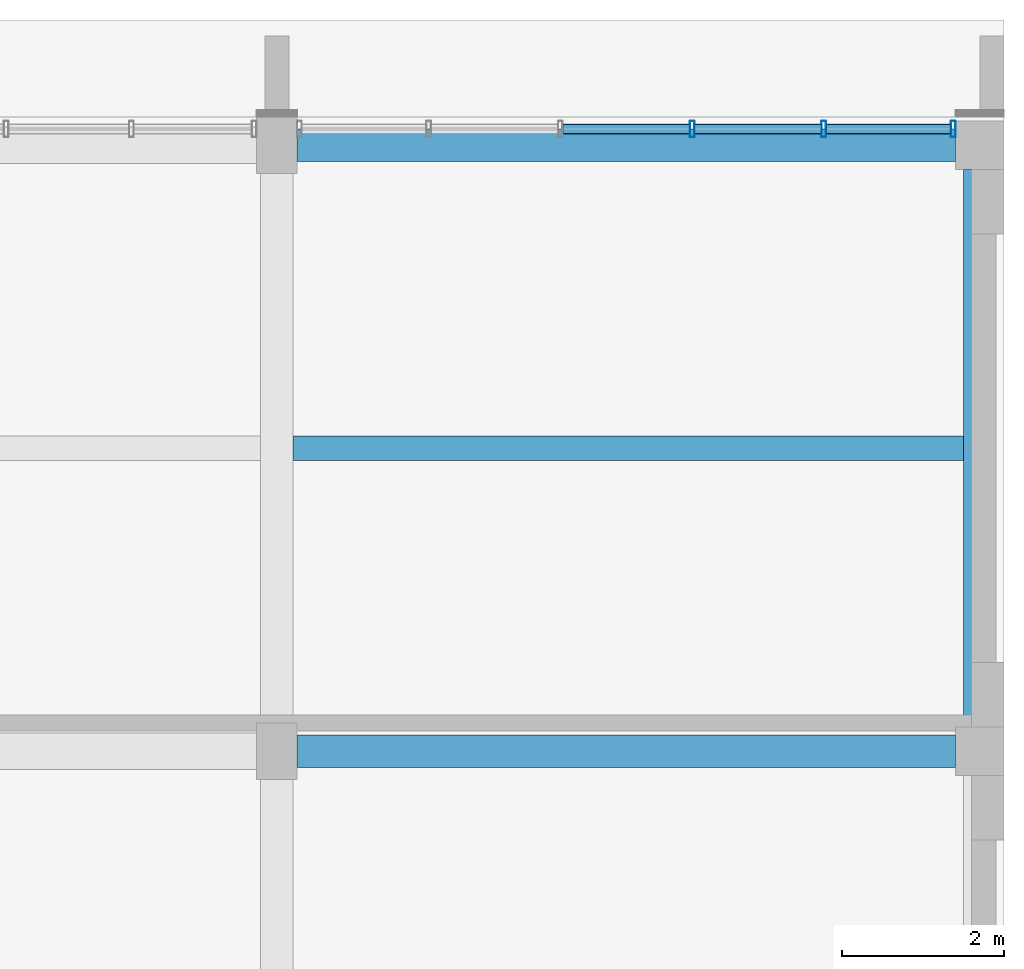
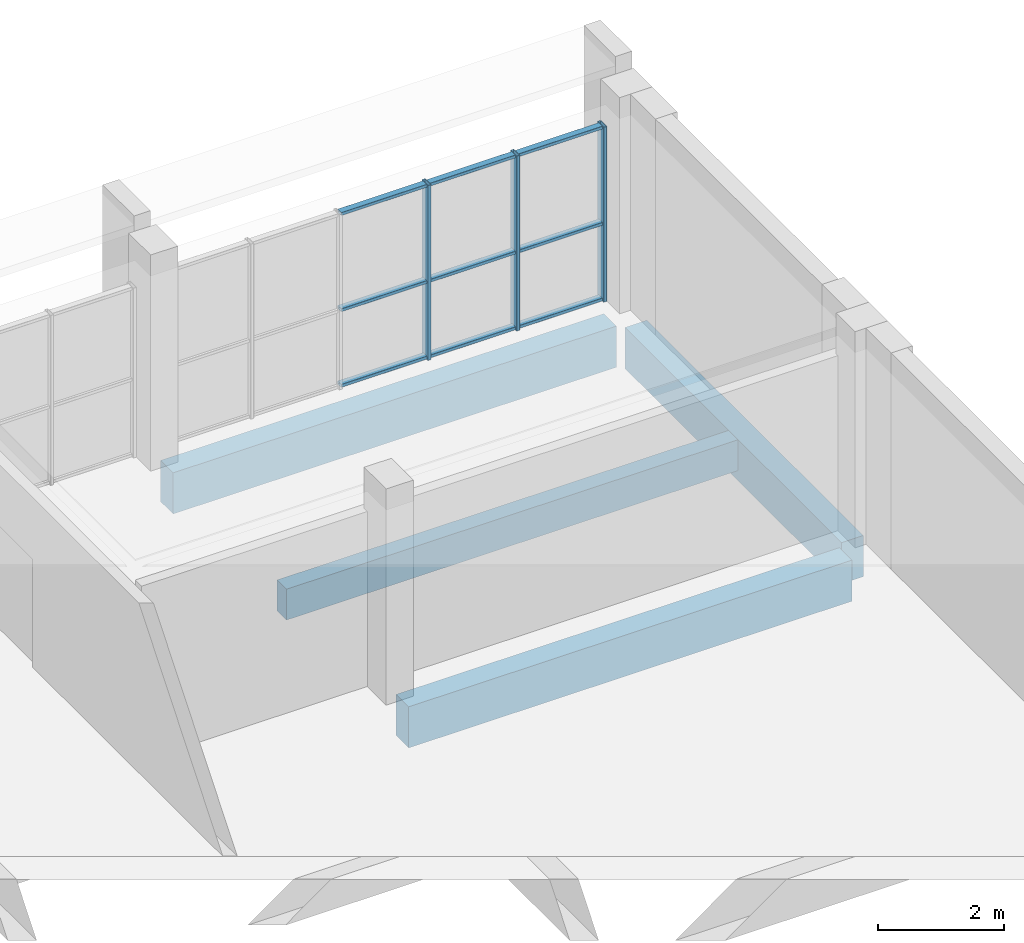
# One storey, part 18 of 42: 12 members, 4 beams, 1 element without a shape of its own.
"""IFC4 building model written with IfcOpenShell, lengths in metres."""

from ifc_helpers import new_model, si_unit, direction, frame, origin, origin_2d, place, context, subcontext, project, spatial, rectangle, hollow_rectangle, extrude, material, material_profile, profile_set, type_object, element, aggregate, save


model = new_model("IFC4")

# Units and contexts
model_context = context("Model", 3, precision=1e-05, world=origin(), true_north=direction((0.0, 1.0)))
body_context = subcontext(model_context, "Body", "Model", "MODEL_VIEW")
ifc_project = project(units=[si_unit("LENGTHUNIT", "METRE"), si_unit("AREAUNIT", "SQUARE_METRE"), si_unit("VOLUMEUNIT", "CUBIC_METRE"), si_unit("PLANEANGLEUNIT", "RADIAN"), si_unit("MASSUNIT", "GRAM", prefix="KILO")], contexts=[model_context])

# Site, building, storey
site_placement = place(None, origin())
site = spatial("IfcSite", under=ifc_project, at=site_placement, CompositionType="ELEMENT")
building_placement = place(site_placement, origin())
building = spatial("IfcBuilding", under=site, at=building_placement, Name="Sun Court Science Centre", CompositionType="ELEMENT")
storey_placement = place(building_placement, frame((0.0, 0.0, 20.25)))
storey = spatial("IfcBuildingStorey", under=building, at=storey_placement, Name="L04", CompositionType="ELEMENT", Elevation=20.25)

# Curtain wall, members
ifc_material_1 = material(Name="Aluminium EN AW-6063 T6", Category="aluminium")
curtain_wall_type = type_object("IfcCurtainWallType", Name="Laboratory tall bay curtain wall 1500", PredefinedType="NOTDEFINED", material=ifc_material_1)
curtain_wall_placement = place(storey_placement, origin())
curtain_wall = element("IfcCurtainWall", 1, at=curtain_wall_placement, inside=storey, type_object=curtain_wall_type, Name="Curtain wall V4 N L04 03", PredefinedType="NOTDEFINED")
ifc_material_2 = material(Name="Aluminium EN AW-6063 T6", Category="aluminium")
ifc_material_profile_1 = material_profile(ifc_material_2, hollow_rectangle(XDim=0.06005859375, YDim=0.199951171875, WallThickness=0.0048828125, InnerFilletRadius=0.0048828125, OuterFilletRadius=0.007568359375, at=origin_2d()), Name="AL 60x200x5")
ifc_profile_set_1 = profile_set([ifc_material_profile_1], Name="Aluminium EN AW-6063 T6")
member_type_1 = type_object("IfcMemberType", Name="Curtain wall mullion AL 60x200", PredefinedType="MULLION", material=ifc_profile_set_1)
member_1_placement = place(storey_placement, frame((100.139892578125, 80.85009765625, 0.0), z_axis=(0.0, 0.0, 1.0), x_axis=(1.0, 0.0, 0.0)))
member_1 = element("IfcMember", 2, at=member_1_placement, type_object=member_type_1, Name="CW2-75 mullion 4", PredefinedType="MULLION", context=body_context, shape_type="SweptSolid", body=[
    extrude(hollow_rectangle(XDim=0.06005859375, YDim=0.199951171875, WallThickness=0.0048828125, InnerFilletRadius=0.0048828125, OuterFilletRadius=0.007568359375, at=origin_2d()), origin(), (0.0, 0.0, 1.0), 3.39990234375),
])
member_2_placement = place(storey_placement, frame((101.77001953125, 80.85009765625, 0.0), z_axis=(0.0, 0.0, 1.0), x_axis=(1.0, 0.0, 0.0)))
member_2 = element("IfcMember", 3, at=member_2_placement, type_object=member_type_1, Name="CW2-75 mullion 5", PredefinedType="MULLION", context=body_context, shape_type="SweptSolid", body=[
    extrude(hollow_rectangle(XDim=0.06005859375, YDim=0.199951171875, WallThickness=0.0048828125, InnerFilletRadius=0.0048828125, OuterFilletRadius=0.007568359375, at=origin_2d()), origin(), (0.0, 0.0, 1.0), 3.39990234375),
])
member_3_placement = place(storey_placement, frame((103.3701171875, 80.85009765625, 0.0), z_axis=(0.0, 0.0, 1.0), x_axis=(1.0, 0.0, 0.0)))
member_3 = element("IfcMember", 4, at=member_3_placement, type_object=member_type_1, Name="CW2-75 mullion 6", PredefinedType="MULLION", context=body_context, shape_type="SweptSolid", body=[
    extrude(hollow_rectangle(XDim=0.06005859375, YDim=0.199951171875, WallThickness=0.0048828125, InnerFilletRadius=0.0048828125, OuterFilletRadius=0.007568359375, at=origin_2d()), origin(), (0.0, 0.0, 1.0), 3.39990234375),
])
ifc_material_3 = material(Name="Aluminium EN AW-6063 T6", Category="aluminium")
ifc_material_profile_2 = material_profile(ifc_material_3, hollow_rectangle(XDim=0.06005859375, YDim=0.1201171875, WallThickness=0.00390625, InnerFilletRadius=0.00390625, OuterFilletRadius=0.006103515625, at=origin_2d()), Name="AL 60x120x4")
ifc_profile_set_2 = profile_set([ifc_material_profile_2], Name="Aluminium EN AW-6063 T6")
member_type_2 = type_object("IfcMemberType", Name="Curtain wall transom AL 60x120", PredefinedType="USERDEFINED", material=ifc_profile_set_2)
member_4_placement = place(storey_placement, frame((98.5400390625, 80.85009765625, 0.030029296875), z_axis=(1.0, 0.0, 0.0), x_axis=(0.0, 0.0, 1.0)))
member_4 = element("IfcMember", 5, at=member_4_placement, type_object=member_type_2, Name="CW2-75 transom 3.1", ObjectType="TRANSOM", PredefinedType="USERDEFINED", context=body_context, shape_type="SweptSolid", body=[
    extrude(hollow_rectangle(XDim=0.06005859375, YDim=0.1201171875, WallThickness=0.00390625, InnerFilletRadius=0.00390625, OuterFilletRadius=0.006103515625, at=origin_2d()), origin(), (0.0, 0.0, 1.0), 1.570068359375),
])
member_5_placement = place(storey_placement, frame((100.169921875, 80.85009765625, 0.030029296875), z_axis=(1.0, 0.0, 0.0), x_axis=(0.0, 0.0, 1.0)))
member_5 = element("IfcMember", 6, at=member_5_placement, type_object=member_type_2, Name="CW2-75 transom 4.1", ObjectType="TRANSOM", PredefinedType="USERDEFINED", context=body_context, shape_type="SweptSolid", body=[
    extrude(hollow_rectangle(XDim=0.06005859375, YDim=0.1201171875, WallThickness=0.00390625, InnerFilletRadius=0.00390625, OuterFilletRadius=0.006103515625, at=origin_2d()), origin(), (0.0, 0.0, 1.0), 1.570068359375),
])
member_6_placement = place(storey_placement, frame((101.800048828125, 80.85009765625, 0.030029296875), z_axis=(1.0, 0.0, 0.0), x_axis=(0.0, 0.0, 1.0)))
member_6 = element("IfcMember", 7, at=member_6_placement, type_object=member_type_2, Name="CW2-75 transom 5.1", ObjectType="TRANSOM", PredefinedType="USERDEFINED", context=body_context, shape_type="SweptSolid", body=[
    extrude(hollow_rectangle(XDim=0.06005859375, YDim=0.1201171875, WallThickness=0.00390625, InnerFilletRadius=0.00390625, OuterFilletRadius=0.006103515625, at=origin_2d()), origin(), (0.0, 0.0, 1.0), 1.5400390625),
])
member_7_placement = place(storey_placement, frame((98.5400390625, 80.85009765625, 1.5), z_axis=(1.0, 0.0, 0.0), x_axis=(0.0, 0.0, 1.0)))
member_7 = element("IfcMember", 8, at=member_7_placement, type_object=member_type_2, Name="CW2-75 transom 3.2", ObjectType="TRANSOM", PredefinedType="USERDEFINED", context=body_context, shape_type="SweptSolid", body=[
    extrude(hollow_rectangle(XDim=0.06005859375, YDim=0.1201171875, WallThickness=0.00390625, InnerFilletRadius=0.00390625, OuterFilletRadius=0.006103515625, at=origin_2d()), origin(), (0.0, 0.0, 1.0), 1.570068359375),
])
member_8_placement = place(storey_placement, frame((100.169921875, 80.85009765625, 1.5), z_axis=(1.0, 0.0, 0.0), x_axis=(0.0, 0.0, 1.0)))
member_8 = element("IfcMember", 9, at=member_8_placement, type_object=member_type_2, Name="CW2-75 transom 4.2", ObjectType="TRANSOM", PredefinedType="USERDEFINED", context=body_context, shape_type="SweptSolid", body=[
    extrude(hollow_rectangle(XDim=0.06005859375, YDim=0.1201171875, WallThickness=0.00390625, InnerFilletRadius=0.00390625, OuterFilletRadius=0.006103515625, at=origin_2d()), origin(), (0.0, 0.0, 1.0), 1.570068359375),
])
member_9_placement = place(storey_placement, frame((101.800048828125, 80.85009765625, 1.5), z_axis=(1.0, 0.0, 0.0), x_axis=(0.0, 0.0, 1.0)))
member_9 = element("IfcMember", 10, at=member_9_placement, type_object=member_type_2, Name="CW2-75 transom 5.2", ObjectType="TRANSOM", PredefinedType="USERDEFINED", context=body_context, shape_type="SweptSolid", body=[
    extrude(hollow_rectangle(XDim=0.06005859375, YDim=0.1201171875, WallThickness=0.00390625, InnerFilletRadius=0.00390625, OuterFilletRadius=0.006103515625, at=origin_2d()), origin(), (0.0, 0.0, 1.0), 1.5400390625),
])
member_10_placement = place(storey_placement, frame((98.5400390625, 80.85009765625, 3.3701171875), z_axis=(1.0, 0.0, 0.0), x_axis=(0.0, 0.0, 1.0)))
member_10 = element("IfcMember", 11, at=member_10_placement, type_object=member_type_2, Name="CW2-75 transom 3.3", ObjectType="TRANSOM", PredefinedType="USERDEFINED", context=body_context, shape_type="SweptSolid", body=[
    extrude(hollow_rectangle(XDim=0.06005859375, YDim=0.1201171875, WallThickness=0.00390625, InnerFilletRadius=0.00390625, OuterFilletRadius=0.006103515625, at=origin_2d()), origin(), (0.0, 0.0, 1.0), 1.570068359375),
])
member_11_placement = place(storey_placement, frame((100.169921875, 80.85009765625, 3.3701171875), z_axis=(1.0, 0.0, 0.0), x_axis=(0.0, 0.0, 1.0)))
member_11 = element("IfcMember", 12, at=member_11_placement, type_object=member_type_2, Name="CW2-75 transom 4.3", ObjectType="TRANSOM", PredefinedType="USERDEFINED", context=body_context, shape_type="SweptSolid", body=[
    extrude(hollow_rectangle(XDim=0.06005859375, YDim=0.1201171875, WallThickness=0.00390625, InnerFilletRadius=0.00390625, OuterFilletRadius=0.006103515625, at=origin_2d()), origin(), (0.0, 0.0, 1.0), 1.570068359375),
])
member_12_placement = place(storey_placement, frame((101.800048828125, 80.85009765625, 3.3701171875), z_axis=(1.0, 0.0, 0.0), x_axis=(0.0, 0.0, 1.0)))
member_12 = element("IfcMember", 13, at=member_12_placement, type_object=member_type_2, Name="CW2-75 transom 5.3", ObjectType="TRANSOM", PredefinedType="USERDEFINED", context=body_context, shape_type="SweptSolid", body=[
    extrude(hollow_rectangle(XDim=0.06005859375, YDim=0.1201171875, WallThickness=0.00390625, InnerFilletRadius=0.00390625, OuterFilletRadius=0.006103515625, at=origin_2d()), origin(), (0.0, 0.0, 1.0), 1.5400390625),
])
aggregate(curtain_wall, [member_1, member_2, member_3, member_4, member_5, member_6, member_7, member_8, member_9, member_10, member_11, member_12])

# Beams
ifc_material_4 = material(Name="Concrete C25/30", Category="concrete")
ifc_material_profile_3 = material_profile(ifc_material_4, rectangle(XDim=0.39990234375, YDim=0.800048828125, at=origin_2d()), Name="RC 400x800")
ifc_profile_set_3 = profile_set([ifc_material_profile_3], Name="Concrete C25/30")
beam_type_1 = type_object("IfcBeamType", Name="RC girder 400x800", PredefinedType="BEAM", material=ifc_profile_set_3)
for number, where, z_axis, x_axis, name in (
    (14, (95.25, 73.14990234375, -0.699951171875), (1.0, 0.0, 0.0), (0.0, 1.0, 0.0), "Girder L04 row 10"),
    (15, (95.25, 80.64990234375, -0.699951171875), (1.0, 0.0, 0.0), (0.0, 1.0, 0.0), "Girder L04 row 11"),
):
    element("IfcBeam", number, at=place(storey_placement, frame(where, z_axis=z_axis, x_axis=x_axis)), inside=storey, type_object=beam_type_1, Name=name, PredefinedType="BEAM", context=body_context, shape_type="SweptSolid", body=[
        extrude(rectangle(XDim=0.39990234375, YDim=0.800048828125, at=origin_2d()), origin(), (0.0, 0.0, 1.0), 8.14990234375),
    ])
beam_1_placement = place(storey_placement, frame((103.699951171875, 73.449951171875, -0.699951171875), z_axis=(0.0, 1.0, 0.0), x_axis=(-1.0, 0.0, 0.0)))
element("IfcBeam", 16, at=beam_1_placement, inside=storey, type_object=beam_type_1, Name="Girder L04 line 4", PredefinedType="BEAM", context=body_context, shape_type="SweptSolid", body=[
    extrude(rectangle(XDim=0.39990234375, YDim=0.800048828125, at=origin_2d()), origin(), (0.0, 0.0, 1.0), 6.900146484375),
])
ifc_material_5 = material(Name="Concrete C25/30", Category="concrete")
ifc_material_profile_4 = material_profile(ifc_material_5, rectangle(XDim=0.300048828125, YDim=0.60009765625, at=origin_2d()), Name="RC 300x600")
ifc_profile_set_4 = profile_set([ifc_material_profile_4], Name="Concrete C25/30")
beam_type_2 = type_object("IfcBeamType", Name="RC joist 300x600", PredefinedType="JOIST", material=ifc_profile_set_4)
beam_2_placement = place(storey_placement, frame((95.199951171875, 76.89990234375, -0.60009765625), z_axis=(1.0, 0.0, 0.0), x_axis=(0.0, 1.0, 0.0)))
element("IfcBeam", 17, at=beam_2_placement, inside=storey, type_object=beam_type_2, Name="Joist L04", PredefinedType="JOIST", context=body_context, shape_type="SweptSolid", body=[
    extrude(rectangle(XDim=0.300048828125, YDim=0.60009765625, at=origin_2d()), origin(), (0.0, 0.0, 1.0), 8.300048828125),
])

save(model, "model.ifc")
